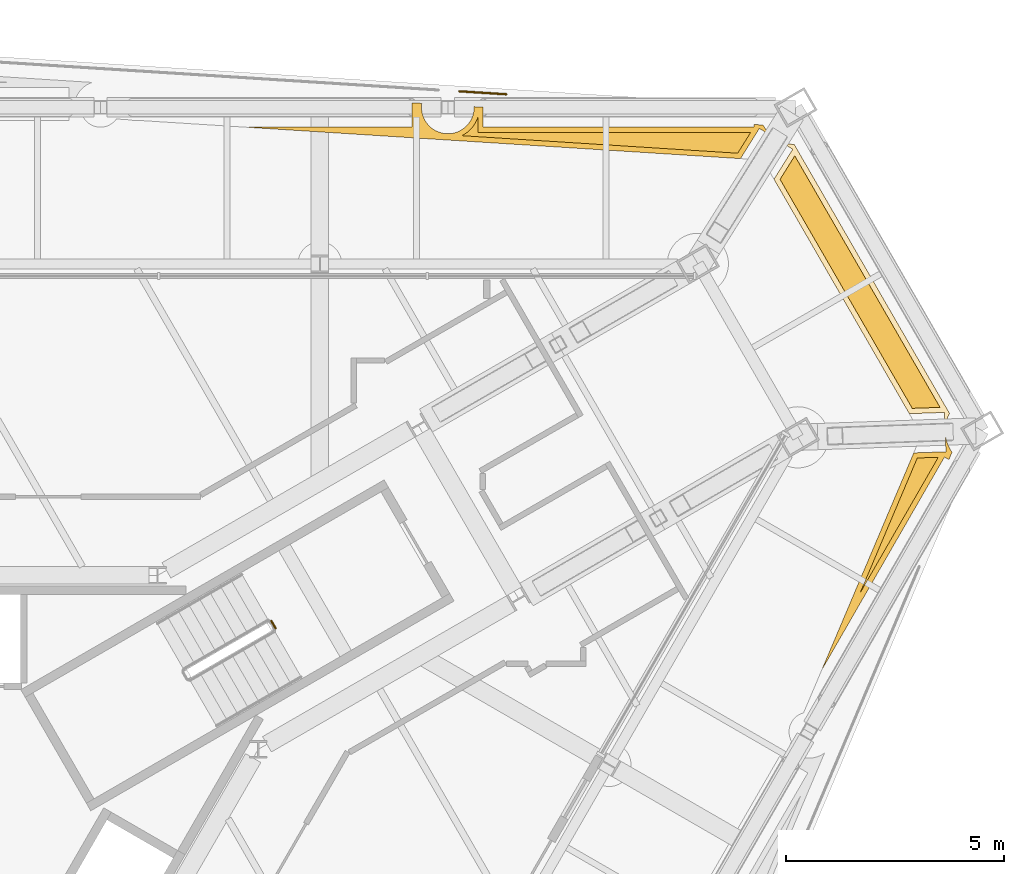
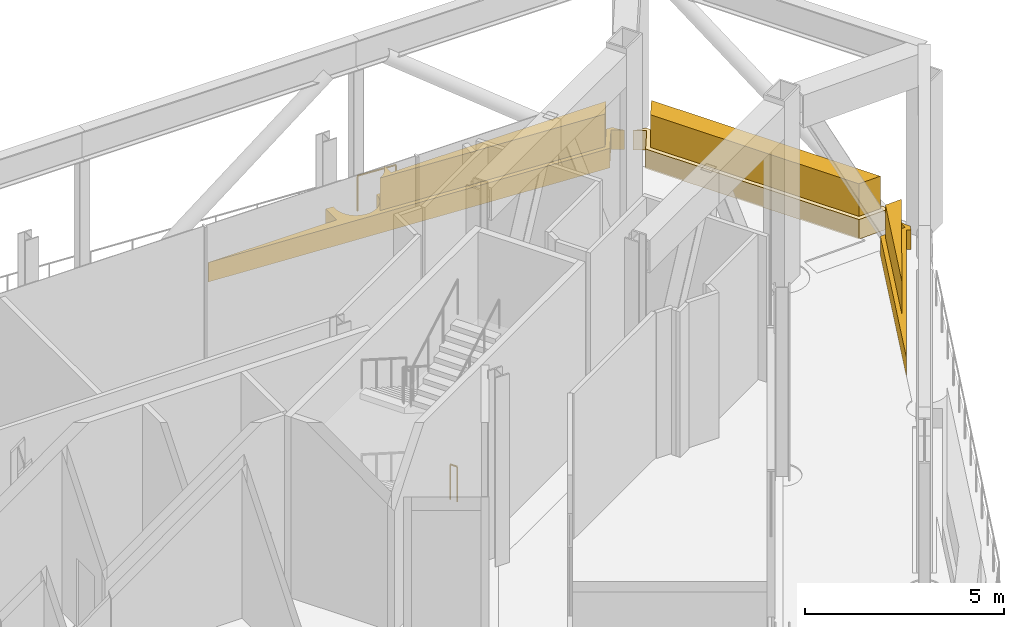
# One storey, part 24 of 24: 6 coverings, 2 railings.
"""IFC4 building model written with IfcOpenShell, lengths in metres."""

import ifcopenshell
import ifcopenshell.guid

model = None  # the IFC model being written
_history = None  # IfcOwnerHistory: only IFC2X3 demands one
_inside = {}  # id of a spatial element -> (the spatial element, [elements in it])
_under = {}  # id of a project, library or spatial element -> (it, [spatial elements below it])
_declared = {}  # id of a project -> (the project, [libraries it declares])
_typed = {}  # id of a type object -> (the type object, [elements of that type])
_made_of = {}  # id of a material, layer set ... -> (it, [elements and type objects made of it])


def new_model(schema):
    """Start an empty IFC model of exactly this schema.

    Asked for "IFC4X3", IfcOpenShell would pick the latest addendum, in which some entities
    have other attributes; the version numbers below select the first issue.
    IFC2X3 requires an IfcOwnerHistory on every rooted entity: one is made here for all.
    """
    global model, _history
    if schema == "IFC4X3":
        model = ifcopenshell.file(schema_version=(4, 3, 0, 0))
    else:
        model = ifcopenshell.file(schema=schema)
    _inside.clear()
    _under.clear()
    _declared.clear()
    _typed.clear()
    _made_of.clear()
    _history = None
    if model.schema == "IFC2X3":
        org = make("IfcOrganization", Name="unknown")
        user = make(
            "IfcPersonAndOrganization",
            ThePerson=make("IfcPerson", FamilyName="unknown"),
            TheOrganization=org,
        )
        app = make(
            "IfcApplication",
            ApplicationDeveloper=org,
            Version="unknown",
            ApplicationFullName="unknown",
            ApplicationIdentifier="unknown",
        )
        _history = make(
            "IfcOwnerHistory",
            OwningUser=user,
            OwningApplication=app,
            ChangeAction="ADDED",
            CreationDate=0,
        )
    return model


def make(cls, **values):
    """One entity of the class cls with the attributes given. An attribute that is None is left unset."""
    return model.create_entity(
        cls, **{name: value for name, value in values.items() if value is not None}
    )


def rooted(cls, **values):
    """An entity with a GlobalId (a new one), such as an element, a storey or a relation."""
    return make(cls, GlobalId=ifcopenshell.guid.new(), OwnerHistory=_history, **values)


def si_unit(unit_type, name, prefix=None):
    """IfcSIUnit, for example si_unit("LENGTHUNIT", "METRE", prefix="MILLI")."""
    return make("IfcSIUnit", UnitType=unit_type, Prefix=prefix, Name=name)


def assignment(units):
    """IfcUnitAssignment: the units of a project."""
    return None if units is None else make("IfcUnitAssignment", Units=units)


def point(xyz):
    """IfcCartesianPoint."""
    return None if xyz is None else make("IfcCartesianPoint", Coordinates=xyz)


def direction(xyz):
    """IfcDirection."""
    return None if xyz is None else make("IfcDirection", DirectionRatios=xyz)


def frame(location, z_axis=None, x_axis=None):
    """IfcAxis2Placement3D, a coordinate frame: its origin and axes. An axis left out is left unset."""
    return make(
        "IfcAxis2Placement3D",
        Location=point(location),
        Axis=direction(z_axis),
        RefDirection=direction(x_axis),
    )


def frame_2d(location, x_axis=None):
    """IfcAxis2Placement2D, a coordinate frame in the plane: its origin and x axis."""
    return make(
        "IfcAxis2Placement2D", Location=point(location), RefDirection=direction(x_axis)
    )


def origin():
    """The frame at (0, 0, 0) with its axes left unset."""
    return frame((0.0, 0.0, 0.0))


def origin_2d():
    """The frame at (0, 0) in the plane with its x axis left unset."""
    return frame_2d((0.0, 0.0))


def place(relative_to, where):
    """IfcLocalPlacement: puts the frame where relative to a parent placement (None: the world)."""
    return make(
        "IfcLocalPlacement", PlacementRelTo=relative_to, RelativePlacement=where
    )


def context(
    kind, dimensions, precision=None, world=None, true_north=None, identifier=None
):
    """IfcGeometricRepresentationContext, for example the 3D "Model" context."""
    return make(
        "IfcGeometricRepresentationContext",
        ContextIdentifier=identifier,
        ContextType=kind,
        CoordinateSpaceDimension=dimensions,
        Precision=precision,
        WorldCoordinateSystem=world,
        TrueNorth=true_north,
    )


def subcontext(parent, identifier, kind, view, scale=None):
    """IfcGeometricRepresentationSubContext, for example "Body" below "Model"."""
    return make(
        "IfcGeometricRepresentationSubContext",
        ContextIdentifier=identifier,
        ContextType=kind,
        ParentContext=parent,
        TargetScale=scale,
        TargetView=view,
    )


def project(units=None, contexts=None):
    """IfcProject with its units and contexts."""
    return rooted(
        "IfcProject",
        Name="project",
        RepresentationContexts=contexts,
        UnitsInContext=assignment(units),
    )


def spatial(cls, under=None, at=None, **own):
    """A site, building, storey or space (cls), placed at a placement, below another one or the project."""
    s = rooted(cls, ObjectPlacement=at, **own)
    if under is not None:
        _under.setdefault(under.id(), (under, []))[1].append(s)
    return s


def polyline(points):
    """IfcPolyline through the points."""
    return make("IfcPolyline", Points=[point(p) for p in points])


def profile(cls, at=None, kind="AREA", **sizes):
    """A parametric profile (cls). Its sizes go by their IFC names, for example OverallWidth=200.0."""
    return make(cls, ProfileType=kind, Position=at, **sizes)


def circle(**sizes):
    """IfcCircleProfileDef."""
    return profile("IfcCircleProfileDef", **sizes)


def outline(outer, holes=None, kind="AREA"):
    """IfcArbitraryClosedProfileDef: a profile drawn as a closed curve; with holes, ...WithVoids."""
    if holes is None:
        return make("IfcArbitraryClosedProfileDef", ProfileType=kind, OuterCurve=outer)
    return make(
        "IfcArbitraryProfileDefWithVoids",
        ProfileType=kind,
        OuterCurve=outer,
        InnerCurves=holes,
    )


def extrude(swept, where, along, depth):
    """IfcExtrudedAreaSolid: the profile swept, set in the frame where, extruded along a direction by depth."""
    return make(
        "IfcExtrudedAreaSolid",
        SweptArea=swept,
        Position=where,
        ExtrudedDirection=direction(along),
        Depth=depth,
    )


def shape(context_of_items, identifier, shape_type, items):
    """IfcShapeRepresentation: the items that make up one representation, for example the "Body"."""
    return make(
        "IfcShapeRepresentation",
        ContextOfItems=context_of_items,
        RepresentationIdentifier=identifier,
        RepresentationType=shape_type,
        Items=items,
    )


def material(Name=None, Category=None):
    """IfcMaterial."""
    return make("IfcMaterial", Name=Name, Category=Category)


def made_of(thing, what):
    """Note that an element or type object is made of a material, layer set ...; save() writes the relation."""
    if what is not None:
        _made_of.setdefault(what.id(), (what, []))[1].append(thing)
    return thing


def type_object(cls, material=None, **own):
    """A type object (cls), such as IfcWallType, which elements share."""
    return made_of(rooted(cls, **own), material)


def element(
    cls,
    number,
    at=None,
    inside=None,
    cuts=None,
    type_object=None,
    material=None,
    context=None,
    identifier="Body",
    shape_type=None,
    held_by="IfcProductDefinitionShape",
    body=None,
    shapes=None,
    **own,
):
    """One element of the class cls, such as IfcWall. Its Tag is "e" and its number.

    at: its placement. inside: the storey or other place that contains it. cuts: it is an
    opening in that element (IfcRelVoidsElement). A single representation is given by context,
    identifier, shape_type and body (its items); several are given by shapes. held_by: the class
    of the entity that holds the representations. save() writes the other relations.
    """
    e = rooted(cls, Tag="e%d" % number, ObjectPlacement=at, **own)
    if body is not None:
        shapes = [shape(context, identifier, shape_type, body)]
    if shapes is not None:
        e.Representation = make(held_by, Representations=shapes)
    if inside is not None:
        _inside.setdefault(inside.id(), (inside, []))[1].append(e)
    if cuts is not None:
        rooted(
            "IfcRelVoidsElement", RelatingBuildingElement=cuts, RelatedOpeningElement=e
        )
    if type_object is not None:
        _typed.setdefault(type_object.id(), (type_object, []))[1].append(e)
    return made_of(e, material)


def aggregate(whole, parts):
    """IfcRelAggregates: a whole, such as a stair, and the parts it consists of."""
    return rooted("IfcRelAggregates", RelatingObject=whole, RelatedObjects=parts)


def save(model, path):
    """Write the relations noted so far, then the file.

    IfcRelAggregates (storeys below a building ...), IfcRelContainedInSpatialStructure (elements
    in a storey), IfcRelDefinesByType, IfcRelAssociatesMaterial and IfcRelDeclares: one each for
    every whole, place, type object, material and project.
    """
    for whole, parts in _under.values():
        aggregate(whole, parts)
    for where, things in _inside.values():
        rooted(
            "IfcRelContainedInSpatialStructure",
            RelatedElements=things,
            RelatingStructure=where,
        )
    for kind, things in _typed.values():
        rooted("IfcRelDefinesByType", RelatedObjects=things, RelatingType=kind)
    for what, things in _made_of.values():
        rooted("IfcRelAssociatesMaterial", RelatedObjects=things, RelatingMaterial=what)
    for by, libraries in _declared.values():
        rooted("IfcRelDeclares", RelatingContext=by, RelatedDefinitions=libraries)
    model.write(path)


model = new_model("IFC4")

# Units and contexts
model_context = context("Model", 3, precision=1e-05, world=origin(), true_north=direction((0.0, 1.0)))
body_context = subcontext(model_context, "Body", "Model", "MODEL_VIEW")
ifc_project = project(units=[si_unit("LENGTHUNIT", "METRE"), si_unit("AREAUNIT", "SQUARE_METRE"), si_unit("VOLUMEUNIT", "CUBIC_METRE"), si_unit("PLANEANGLEUNIT", "RADIAN"), si_unit("MASSUNIT", "GRAM", prefix="KILO")], contexts=[model_context])

# Site, building, storey
site_placement = place(None, origin())
site = spatial("IfcSite", under=ifc_project, at=site_placement, CompositionType="ELEMENT")
building_placement = place(site_placement, origin())
building = spatial("IfcBuilding", under=site, at=building_placement, Name="Verrane Prism Tower", CompositionType="ELEMENT")
storey_placement = place(building_placement, frame((0.0, 0.0, 200.60009765625)))
storey = spatial("IfcBuildingStorey", under=building, at=storey_placement, Name="L50", CompositionType="ELEMENT", Elevation=200.60009765625)

# Coverings
ifc_material_1 = material(Name="Planting medium in stone kerb", Category="masonry")
covering_type_1 = type_object("IfcCoveringType", Name="Planter bed 600", PredefinedType="USERDEFINED", material=ifc_material_1)
covering_1_placement = place(storey_placement, origin())
element("IfcCovering", 1, at=covering_1_placement, inside=storey, type_object=covering_type_1, Name="Planter bed L50 1", ObjectType="PLANTER", PredefinedType="USERDEFINED", context=body_context, shape_type="SweptSolid", body=[
    extrude(outline(polyline([(27.297607421875, 10.830078125), (26.561279296875, 10.803955078125), (24.47509765625, 5.882080078125), (24.481201171875, 5.87890625), (27.264404296875, 10.709228515625), (27.365478515625, 10.65087890625), (27.43701171875, 10.8193359375), (27.42333984375, 10.837890625), (27.38037109375, 10.9091796875), (27.3447265625, 10.984619140625), (27.316650390625, 11.063232421875), (27.290283203125, 11.168212890625), (27.28564453125, 11.16748046875), (27.297607421875, 10.830078125)])), origin(), (0.0, 0.0, 1.0), 0.599853515625),
])
covering_2_placement = place(storey_placement, origin())
element("IfcCovering", 2, at=covering_2_placement, inside=storey, type_object=covering_type_1, Name="Planter bed L50 2", ObjectType="PLANTER", PredefinedType="USERDEFINED", context=body_context, shape_type="SweptSolid", body=[
    extrude(outline(polyline([(23.791259765625, 17.751708984375), (23.3623046875, 17.06640625), (26.4599609375, 11.700927734375), (27.265625, 11.7294921875), (27.27783203125, 11.3876953125), (27.283203125, 11.387451171875), (27.29638671875, 11.475830078125), (27.316650390625, 11.556640625), (27.3447265625, 11.63525390625), (27.37939453125, 11.70849609375), (23.826904296875, 17.861572265625), (23.776611328125, 17.864013671875), (23.694091796875, 17.876220703125), (23.61328125, 17.896484375), (23.53466796875, 17.9248046875), (23.506591796875, 17.93798828125), (23.503173828125, 17.931884765625), (23.791259765625, 17.751708984375)])), origin(), (0.0, 0.0, 1.0), 0.599853515625),
])
covering_3_placement = place(storey_placement, origin())
element("IfcCovering", 3, at=covering_3_placement, inside=storey, type_object=covering_type_1, Name="Planter bed L50 4", ObjectType="PLANTER", PredefinedType="USERDEFINED", context=body_context, shape_type="SweptSolid", body=[
    extrude(outline(polyline([(15.076416015625, 18.816650390625), (15.076416015625, 18.260009765625), (11.353515625, 18.260009765625), (11.353271484375, 18.251708984375), (22.595703125, 17.53759765625), (23.0283203125, 18.22900390625), (23.31884765625, 18.047119140625), (23.322265625, 18.051513671875), (23.259033203125, 18.10888671875), (23.202880859375, 18.1708984375), (23.1533203125, 18.23779296875), (23.112060546875, 18.306396484375), (22.906982421875, 18.3193359375), (22.906982421875, 18.260009765625), (16.708984375, 18.260009765625), (16.708984375, 18.713134765625), (16.501708984375, 18.726318359375), (16.50244140625, 18.7099609375), (16.49951171875, 18.65087890625), (16.49072265625, 18.592529296875), (16.4765625, 18.53515625), (16.45654296875, 18.4794921875), (16.431396484375, 18.426025390625), (16.40087890625, 18.375244140625), (16.36572265625, 18.327880859375), (16.325927734375, 18.283935546875), (16.2822265625, 18.244384765625), (16.234619140625, 18.208984375), (16.18408203125, 18.1787109375), (16.130615234375, 18.153564453125), (16.074951171875, 18.133544921875), (16.017578125, 18.119140625), (15.958984375, 18.110595703125), (15.89990234375, 18.107666015625), (15.841064453125, 18.110595703125), (15.782470703125, 18.119140625), (15.72509765625, 18.133544921875), (15.66943359375, 18.153564453125), (15.615966796875, 18.1787109375), (15.565185546875, 18.208984375), (15.517822265625, 18.244384765625), (15.47412109375, 18.283935546875), (15.434326171875, 18.327880859375), (15.399169921875, 18.375244140625), (15.36865234375, 18.426025390625), (15.343505859375, 18.4794921875), (15.323486328125, 18.53515625), (15.30908203125, 18.592529296875), (15.300537109375, 18.65087890625), (15.297607421875, 18.7099609375), (15.300537109375, 18.76904296875), (15.305419921875, 18.80224609375), (15.076416015625, 18.816650390625)])), origin(), (0.0, 0.0, 1.0), 0.599853515625),
])
ifc_material_2 = material(Name="Planted shrubs and grasses", Category="other")
covering_type_2 = type_object("IfcCoveringType", Name="Planting mass 1000", PredefinedType="USERDEFINED", material=ifc_material_2)
covering_4_placement = place(storey_placement, frame((0.0, 0.0, 0.599853515625)))
element("IfcCovering", 4, at=covering_4_placement, inside=storey, type_object=covering_type_2, Name="Planting L50 1", ObjectType="PLANTING", PredefinedType="USERDEFINED", context=body_context, shape_type="SweptSolid", body=[
    extrude(outline(polyline([(27.122802734375, 10.703857421875), (26.64208984375, 10.686767578125), (25.331298828125, 7.594482421875), (27.122802734375, 10.703857421875)])), origin(), (0.0, 0.0, 1.0), 1.0),
])
covering_5_placement = place(storey_placement, frame((0.0, 0.0, 0.599853515625)))
element("IfcCovering", 5, at=covering_5_placement, inside=storey, type_object=covering_type_2, Name="Planting L50 2", ObjectType="PLANTING", PredefinedType="USERDEFINED", context=body_context, shape_type="SweptSolid", body=[
    extrude(outline(polyline([(23.502197265625, 17.063720703125), (26.52783203125, 11.823486328125), (27.16162109375, 11.845947265625), (23.838623046875, 17.601318359375), (23.502197265625, 17.063720703125)])), origin(), (0.0, 0.0, 1.0), 1.0),
])
covering_6_placement = place(storey_placement, frame((0.0, 0.0, 0.599853515625)))
element("IfcCovering", 6, at=covering_6_placement, inside=storey, type_object=covering_type_2, Name="Planting L50 4", ObjectType="PLANTING", PredefinedType="USERDEFINED", context=body_context, shape_type="SweptSolid", body=[
    extrude(outline(polyline([(22.53173828125, 17.661865234375), (22.8310546875, 18.139892578125), (16.5888671875, 18.139892578125), (16.5888671875, 18.4931640625), (16.5673828125, 18.43359375), (16.537109375, 18.369384765625), (16.500732421875, 18.30859375), (16.45849609375, 18.251708984375), (16.410888671875, 18.19921875), (16.3583984375, 18.151611328125), (16.301513671875, 18.109130859375), (16.240478515625, 18.07275390625), (16.219482421875, 18.062744140625), (22.53173828125, 17.661865234375)])), origin(), (0.0, 0.0, 1.0), 1.0),
])

# Railings
ifc_material_3 = material(Name="Steel A36 rail and posts, no infill", Category="steel")
railing_type_1 = type_object("IfcRailingType", Name="Stair guard 1100 steel rail and posts", PredefinedType="GUARDRAIL", material=ifc_material_3)
railing_1_placement = place(storey_placement, frame((11.85791015625, 6.961669921875, 0.0)))
element("IfcRailing", 7, at=railing_1_placement, inside=storey, type_object=railing_type_1, Name="Stair 1 guard", PredefinedType="GUARDRAIL", context=body_context, shape_type="SweptSolid", body=[
    extrude(circle(Radius=0.02392578125, at=origin_2d()), frame((0.0, 0.0, 1.076171875), z_axis=(0.499158860599, -0.866510491504, 0.0), x_axis=(0.866510491504, 0.499158860599, 0.0)), (0.0, 0.0, 1.0), 0.199951171875),
    extrude(circle(Radius=0.02099609375, at=origin_2d()), origin(), (0.0, 0.0, 1.0), 1.052001953125),
    extrude(circle(Radius=0.02099609375, at=origin_2d()), frame((0.099853515625, -0.17333984375, 0.0)), (0.0, 0.0, 1.0), 1.052001953125),
])
ifc_material_4 = material(Name="Stainless steel and laminated glass", Category="steel")
railing_type_2 = type_object("IfcRailingType", Name="Terrace guard 1100", PredefinedType="GUARDRAIL", material=ifc_material_4)
railing_2_placement = place(storey_placement, frame((17.23974609375, 19.010009765625, 0.0)))
element("IfcRailing", 8, at=railing_2_placement, inside=storey, type_object=railing_type_2, Name="Terrace guard L50 1", PredefinedType="GUARDRAIL", context=body_context, shape_type="SweptSolid", body=[
    extrude(circle(Radius=0.02392578125, at=origin_2d()), frame((0.0, 0.0, 1.076171875), z_axis=(-0.99798159603, 0.063503810798, 0.0), x_axis=(-0.063503810798, -0.99798159603, 0.0)), (0.0, 0.0, 1.0), 1.080322265625),
    extrude(circle(Radius=0.02099609375, at=origin_2d()), origin(), (0.0, 0.0, 1.0), 1.052001953125),
    extrude(circle(Radius=0.02099609375, at=origin_2d()), frame((-1.078125, 0.068603515625, 0.0)), (0.0, 0.0, 1.0), 1.052001953125),
])

save(model, "model.ifc")
